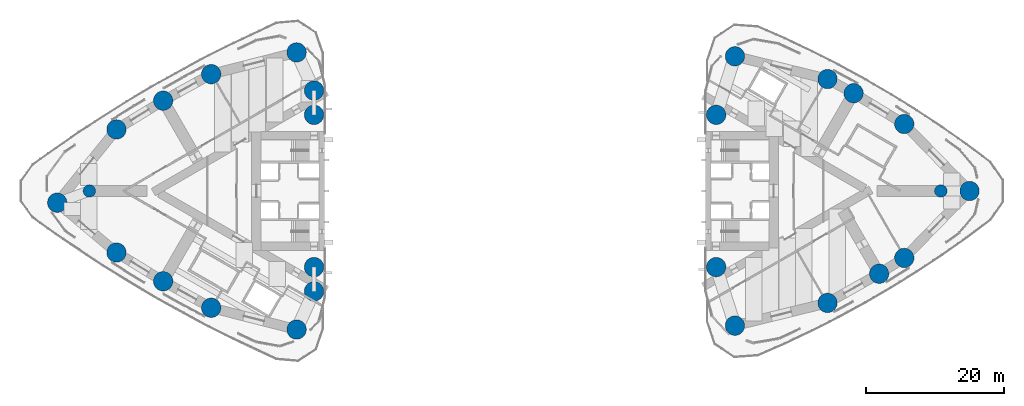
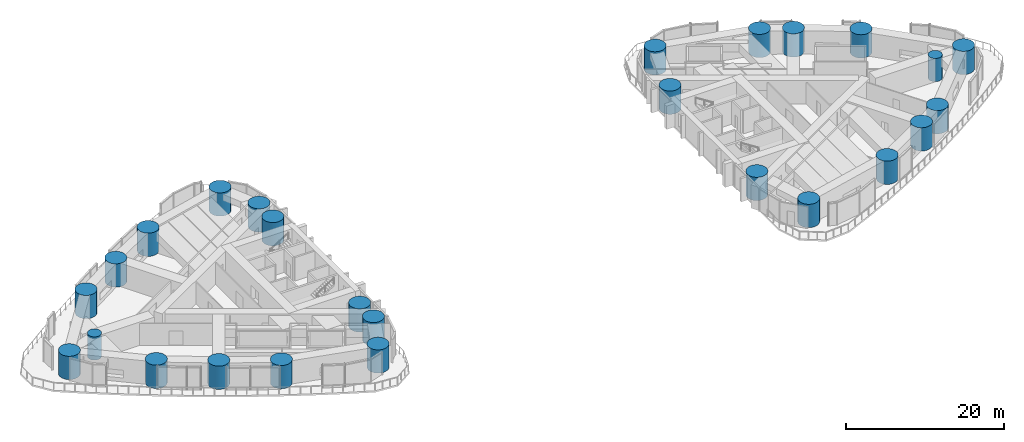
# One storey, part 1 of 17: 26 columns.
"""IFC4 building model written with IfcOpenShell, lengths in metres."""

from ifc_helpers import new_model, si_unit, direction, frame, origin, origin_2d, place, context, subcontext, project, spatial, circle, extrude, material, material_profile, profile_set, type_object, element, save


model = new_model("IFC4")

# Units and contexts
model_context = context("Model", 3, precision=1e-05, world=origin(), true_north=direction((0.0, 1.0)))
body_context = subcontext(model_context, "Body", "Model", "MODEL_VIEW")
ifc_project = project(units=[si_unit("LENGTHUNIT", "METRE"), si_unit("AREAUNIT", "SQUARE_METRE"), si_unit("VOLUMEUNIT", "CUBIC_METRE"), si_unit("PLANEANGLEUNIT", "RADIAN"), si_unit("MASSUNIT", "GRAM", prefix="KILO")], contexts=[model_context])

# Site, building, storey
site_placement = place(None, origin())
site = spatial("IfcSite", under=ifc_project, at=site_placement, CompositionType="ELEMENT")
building_placement = place(site_placement, origin())
building = spatial("IfcBuilding", under=site, at=building_placement, Name="Lancet Gate Hotel", CompositionType="ELEMENT")
storey_placement = place(building_placement, frame((0.0, 0.0, 152.699951171875)))
storey = spatial("IfcBuildingStorey", under=building, at=storey_placement, Name="L40", CompositionType="ELEMENT", Elevation=152.699951171875)

# Columns
ifc_material_1 = material(Name="Concrete C60/75", Category="concrete")
ifc_material_profile_1 = material_profile(ifc_material_1, circle(Radius=0.89990234375, at=origin_2d()), Name="RC D1800")
ifc_profile_set_1 = profile_set([ifc_material_profile_1], Name="Concrete C60/75")
column_type_1 = type_object("IfcColumnType", Name="Apex column RC D1800", PredefinedType="COLUMN", material=ifc_profile_set_1)
for number, where, z_axis, x_axis, name in (
    (1, (-61.5, 0.0, 0.0), (0.0, 0.0, 1.0), (1.0, 0.0, 0.0), "T1 column AX L40"),
    (2, (61.5, 0.0, 0.0), (0.0, 0.0, 1.0), (1.0, 0.0, 0.0), "T2 column AX L40"),
):
    element("IfcColumn", number, at=place(storey_placement, frame(where, z_axis=z_axis, x_axis=x_axis)), inside=storey, type_object=column_type_1, Name=name, PredefinedType="COLUMN", context=body_context, shape_type="SweptSolid", body=[
        extrude(circle(Radius=0.89990234375, at=origin_2d()), origin(), (0.0, 0.0, 1.0), 3.60009765625),
    ])
ifc_material_2 = material(Name="Concrete C60/75", Category="concrete")
ifc_material_profile_2 = material_profile(ifc_material_2, circle(Radius=1.39990234375, at=origin_2d()), Name="RC D2800")
ifc_profile_set_2 = profile_set([ifc_material_profile_2], Name="Concrete C60/75")
column_type_2 = type_object("IfcColumnType", Name="Perimeter column RC D2800", PredefinedType="COLUMN", material=ifc_profile_set_2)
for number, where, z_axis, x_axis, name in (
    (3, (-66.142578125, -1.6953125, 0.0), (0.0, 0.0, 1.0), (1.0, 0.0, 0.0), "T1 column CA L40"),
    (4, (-31.5654296875, -20.015869140625, 0.0), (0.0, 0.0, 1.0), (1.0, 0.0, 0.0), "T1 column CN L40"),
    (5, (-31.5654296875, 20.015869140625, 0.0), (0.0, 0.0, 1.0), (1.0, 0.0, 0.0), "T1 column CS L40"),
    (6, (-29.050048828125, -11.0, 0.0), (0.0, 0.0, 1.0), (1.0, 0.0, 0.0), "T1 column IN L40"),
    (7, (-29.050048828125, 11.0, 0.0), (0.0, 0.0, 1.0), (1.0, 0.0, 0.0), "T1 column IS L40"),
    (8, (-29.050048828125, 14.5, 0.0), (0.0, 0.0, 1.0), (1.0, 0.0, 0.0), "T1 column IT L40"),
    (9, (-29.050048828125, -14.5, 0.0), (0.0, 0.0, 1.0), (1.0, 0.0, 0.0), "T1 column JT L40"),
    (10, (-57.589599609375, -8.89306640625, 0.0), (0.0, 0.0, 1.0), (1.0, 0.0, 0.0), "T1 column ON1 L40"),
    (11, (-50.8388671875, -13.043212890625, 0.0), (0.0, 0.0, 1.0), (1.0, 0.0, 0.0), "T1 column ON2 L40"),
    (12, (-43.900390625, -16.871337890625, 0.0), (0.0, 0.0, 1.0), (1.0, 0.0, 0.0), "T1 column ON3 L40"),
    (13, (-43.900390625, 16.871337890625, 0.0), (0.0, 0.0, 1.0), (1.0, 0.0, 0.0), "T1 column OS1 L40"),
    (14, (-50.8388671875, 13.043212890625, 0.0), (0.0, 0.0, 1.0), (1.0, 0.0, 0.0), "T1 column OS2 L40"),
    (15, (-57.589599609375, 8.89306640625, 0.0), (0.0, 0.0, 1.0), (1.0, 0.0, 0.0), "T1 column OS3 L40"),
    (16, (65.6396484375, 0.0, 0.0), (0.0, 0.0, 1.0), (1.0, 0.0, 0.0), "T2 column CA L40"),
    (17, (31.759765625, 19.455810546875, 0.0), (0.0, 0.0, 1.0), (1.0, 0.0, 0.0), "T2 column CN L40"),
    (18, (31.759765625, -19.455810546875, 0.0), (0.0, 0.0, 1.0), (1.0, 0.0, 0.0), "T2 column CS L40"),
    (19, (29.050048828125, 11.0, 0.0), (0.0, 0.0, 1.0), (1.0, 0.0, 0.0), "T2 column IN L40"),
    (20, (29.050048828125, -11.0, 0.0), (0.0, 0.0, 1.0), (1.0, 0.0, 0.0), "T2 column IS L40"),
    (21, (56.220947265625, 9.67236328125, 0.0), (0.0, 0.0, 1.0), (1.0, 0.0, 0.0), "T2 column ON1 L40"),
    (22, (48.8974609375, 14.12060546875, 0.0), (0.0, 0.0, 1.0), (1.0, 0.0, 0.0), "T2 column ON2 L40"),
    (23, (45.133544921875, 16.16845703125, 0.0), (0.0, 0.0, 1.0), (1.0, 0.0, 0.0), "T2 column ON3 L40"),
    (24, (45.133544921875, -16.16845703125, 0.0), (0.0, 0.0, 1.0), (1.0, 0.0, 0.0), "T2 column OS1 L40"),
    (25, (52.594482421875, -11.95458984375, 0.0), (0.0, 0.0, 1.0), (1.0, 0.0, 0.0), "T2 column OS2 L40"),
    (26, (56.220947265625, -9.67236328125, 0.0), (0.0, 0.0, 1.0), (1.0, 0.0, 0.0), "T2 column OS3 L40"),
):
    element("IfcColumn", number, at=place(storey_placement, frame(where, z_axis=z_axis, x_axis=x_axis)), inside=storey, type_object=column_type_2, Name=name, PredefinedType="COLUMN", context=body_context, shape_type="SweptSolid", body=[
        extrude(circle(Radius=1.39990234375, at=origin_2d()), origin(), (0.0, 0.0, 1.0), 3.60009765625),
    ])

save(model, "model.ifc")
